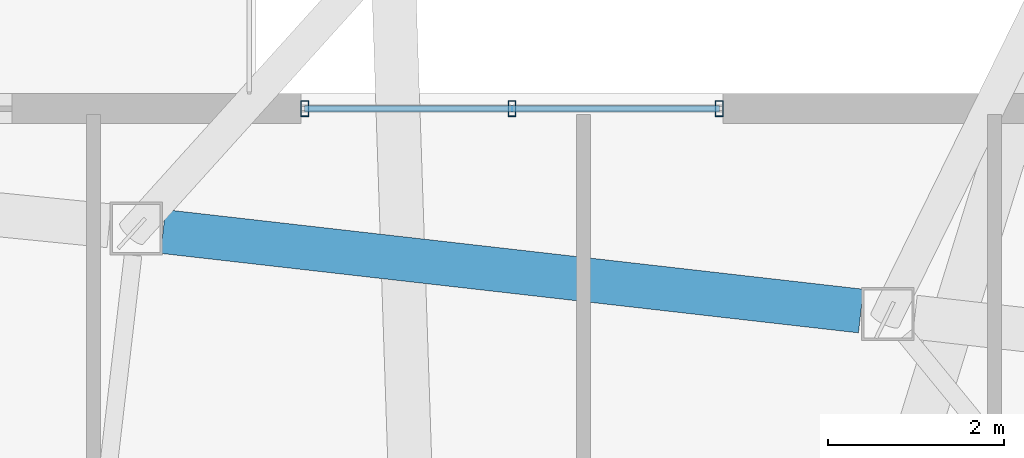
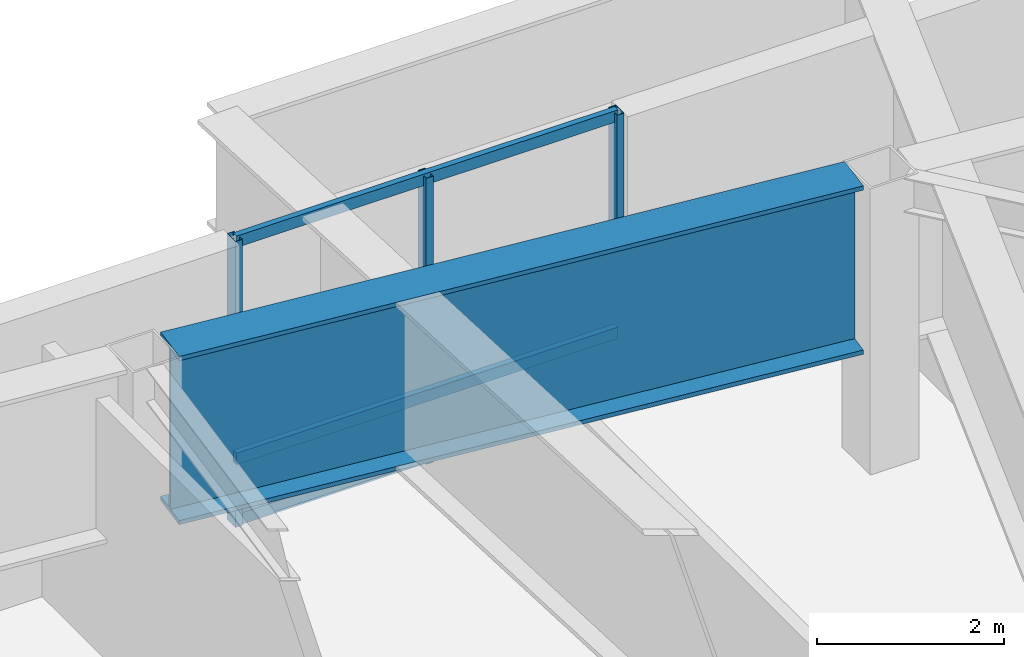
# One storey, part 8 of 19: 6 members, 1 beam, 1 element without a shape of its own.
"""IFC4 building model written with IfcOpenShell, lengths in metres."""

from ifc_helpers import new_model, si_unit, direction, frame, origin, origin_2d, place, context, subcontext, project, spatial, hollow_rectangle, i_section, extrude, material, layer, layer_set, material_profile, profile_set, type_object, element, aggregate, save


model = new_model("IFC4")

# Units and contexts
model_context = context("Model", 3, precision=1e-05, world=origin(), true_north=direction((0.0, 1.0)))
body_context = subcontext(model_context, "Body", "Model", "MODEL_VIEW")
ifc_project = project(units=[si_unit("LENGTHUNIT", "METRE"), si_unit("AREAUNIT", "SQUARE_METRE"), si_unit("VOLUMEUNIT", "CUBIC_METRE"), si_unit("PLANEANGLEUNIT", "RADIAN"), si_unit("MASSUNIT", "GRAM", prefix="KILO")], contexts=[model_context])

# Site, building, storey
site_placement = place(None, origin())
site = spatial("IfcSite", under=ifc_project, at=site_placement, CompositionType="ELEMENT")
building_placement = place(site_placement, origin())
building = spatial("IfcBuilding", under=site, at=building_placement, Name="Tavrogorsk Clinical Tower", CompositionType="ELEMENT")
storey_placement = place(building_placement, frame((0.0, 0.0, 172.199951171875)))
storey = spatial("IfcBuildingStorey", under=building, at=storey_placement, Name="L39", CompositionType="ELEMENT", Elevation=172.199951171875)

# Curtain wall, members
ifc_material_1 = material(Name="Anodised aluminium and triple IGU glazing", Category="aluminium")
ifc_layer = layer(ifc_material_1, 0.179931640625)
ifc_layer_set = layer_set([ifc_layer], Name="Anodised aluminium and triple IGU glazing")
curtain_wall_type = type_object("IfcCurtainWallType", Name="CW2_NorthSlot", PredefinedType="NOTDEFINED", material=ifc_layer_set)
curtain_wall_placement = place(storey_placement, origin())
curtain_wall = element("IfcCurtainWall", 1, at=curtain_wall_placement, inside=storey, type_object=curtain_wall_type, Name="L39 Curtain Wall CW-L39-N-SLOT-2", PredefinedType="NOTDEFINED")
ifc_material_2 = material(Name="Anodised aluminium alloy AW-6060", Category="aluminium")
ifc_material_profile_1 = material_profile(ifc_material_2, hollow_rectangle(XDim=0.090087890625, YDim=0.179931640625, WallThickness=0.00634765625, at=origin_2d()), Name="RHS-180x90x6.3")
ifc_profile_set_1 = profile_set([ifc_material_profile_1], Name="Anodised aluminium alloy AW-6060")
member_type_1 = type_object("IfcMemberType", Name="CwMullion_180x90", PredefinedType="MULLION", material=ifc_profile_set_1)
member_1_placement = place(storey_placement, frame((13.26904296875, 26.929931640625, 0.0), z_axis=(0.0, 0.0, 1.0), x_axis=(-1.0, 0.0, 0.0)))
member_1 = element("IfcMember", 2, at=member_1_placement, type_object=member_type_1, Name="CW-L39-N-SLOT-2 Mullion 1", PredefinedType="MULLION", context=body_context, shape_type="SweptSolid", body=[
    extrude(hollow_rectangle(XDim=0.090087890625, YDim=0.179931640625, WallThickness=0.00634765625, at=origin_2d()), origin(), (0.0, 0.0, 1.0), 3.739990234375),
])
member_2_placement = place(storey_placement, frame((10.91015625, 26.929931640625, 0.0), z_axis=(0.0, 0.0, 1.0), x_axis=(-1.0, 0.0, 0.0)))
member_2 = element("IfcMember", 3, at=member_2_placement, type_object=member_type_1, Name="CW-L39-N-SLOT-2 Mullion 2", PredefinedType="MULLION", context=body_context, shape_type="SweptSolid", body=[
    extrude(hollow_rectangle(XDim=0.090087890625, YDim=0.179931640625, WallThickness=0.00634765625, at=origin_2d()), origin(), (0.0, 0.0, 1.0), 3.739990234375),
])
member_3_placement = place(storey_placement, frame((8.551025390625, 26.929931640625, 0.0), z_axis=(0.0, 0.0, 1.0), x_axis=(-1.0, 0.0, 0.0)))
member_3 = element("IfcMember", 4, at=member_3_placement, type_object=member_type_1, Name="CW-L39-N-SLOT-2 Mullion 3", PredefinedType="MULLION", context=body_context, shape_type="SweptSolid", body=[
    extrude(hollow_rectangle(XDim=0.090087890625, YDim=0.179931640625, WallThickness=0.00634765625, at=origin_2d()), origin(), (0.0, 0.0, 1.0), 3.739990234375),
])
ifc_material_3 = material(Name="Anodised aluminium alloy AW-6060", Category="aluminium")
ifc_material_profile_2 = material_profile(ifc_material_3, hollow_rectangle(XDim=0.074951171875, YDim=0.14990234375, WallThickness=0.0048828125, at=origin_2d()), Name="RHS-150x75x5")
ifc_profile_set_2 = profile_set([ifc_material_profile_2], Name="Anodised aluminium alloy AW-6060")
member_type_2 = type_object("IfcMemberType", Name="CwTransom_150x75", PredefinedType="USERDEFINED", material=ifc_profile_set_2)
member_4_placement = place(storey_placement, frame((13.26904296875, 26.929931640625, 0.050048828125), z_axis=(-1.0, 0.0, 0.0), x_axis=(0.0, -1.0, 0.0)))
member_4 = element("IfcMember", 5, at=member_4_placement, type_object=member_type_2, Name="CW-L39-N-SLOT-2 Transom 1", ObjectType="TRANSOM", PredefinedType="USERDEFINED", context=body_context, shape_type="SweptSolid", body=[
    extrude(hollow_rectangle(XDim=0.074951171875, YDim=0.14990234375, WallThickness=0.0048828125, at=origin_2d()), origin(), (0.0, 0.0, 1.0), 4.718017578125),
])
member_5_placement = place(storey_placement, frame((13.26904296875, 26.929931640625, 0.85009765625), z_axis=(-1.0, 0.0, 0.0), x_axis=(0.0, -1.0, 0.0)))
member_5 = element("IfcMember", 6, at=member_5_placement, type_object=member_type_2, Name="CW-L39-N-SLOT-2 Transom 2", ObjectType="TRANSOM", PredefinedType="USERDEFINED", context=body_context, shape_type="SweptSolid", body=[
    extrude(hollow_rectangle(XDim=0.074951171875, YDim=0.14990234375, WallThickness=0.0048828125, at=origin_2d()), origin(), (0.0, 0.0, 1.0), 4.718017578125),
])
member_6_placement = place(storey_placement, frame((13.26904296875, 26.929931640625, 3.68994140625), z_axis=(-1.0, 0.0, 0.0), x_axis=(0.0, -1.0, 0.0)))
member_6 = element("IfcMember", 7, at=member_6_placement, type_object=member_type_2, Name="CW-L39-N-SLOT-2 Transom 3", ObjectType="TRANSOM", PredefinedType="USERDEFINED", context=body_context, shape_type="SweptSolid", body=[
    extrude(hollow_rectangle(XDim=0.074951171875, YDim=0.14990234375, WallThickness=0.0048828125, at=origin_2d()), origin(), (0.0, 0.0, 1.0), 4.718017578125),
])
aggregate(curtain_wall, [member_1, member_2, member_3, member_4, member_5, member_6])

# Beam
ifc_material_4 = material(Name="Structural steel S440", Category="steel")
ifc_material_profile_3 = material_profile(ifc_material_4, i_section(OverallWidth=0.5, OverallDepth=2.199951171875, WebThickness=0.035888671875, FlangeThickness=0.054931640625, at=origin_2d()), Name="DK-2200x500x36x55")
ifc_profile_set_3 = profile_set([ifc_material_profile_3], Name="Structural steel S440")
beam_type = type_object("IfcBeamType", Name="TransferGirder_DK2200", PredefinedType="USERDEFINED", material=ifc_profile_set_3)
beam_placement = place(storey_placement, frame((14.8798828125, 24.626953125, 2.64013671875), z_axis=(-0.993569449752, 0.113224328304, 0.0), x_axis=(-0.113224328304, -0.993569449752, 0.0)))
element("IfcBeam", 8, at=beam_placement, inside=storey, type_object=beam_type, Name="L39 Perimeter Spandrel N3-N4", ObjectType="GIRDER", PredefinedType="USERDEFINED", context=body_context, shape_type="SweptSolid", body=[
    extrude(i_section(OverallWidth=0.5, OverallDepth=2.199951171875, WebThickness=0.035888671875, FlangeThickness=0.054931640625, at=origin_2d()), origin(), (0.0, 0.0, 1.0), 7.990966796875),
])

save(model, "model.ifc")
